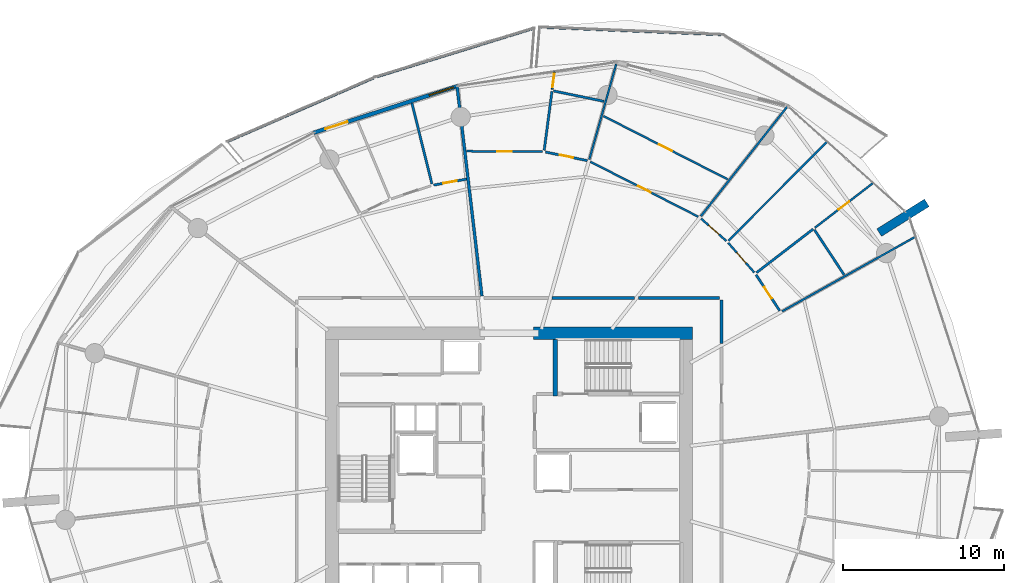
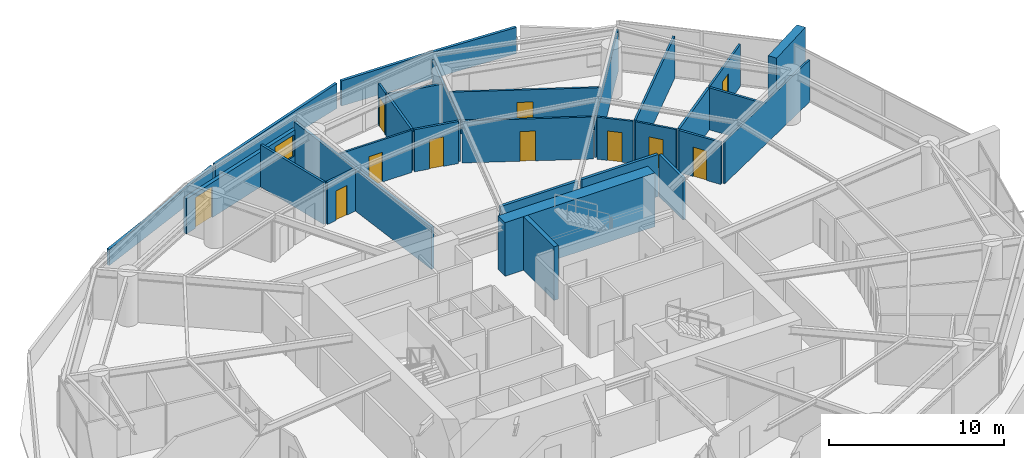
# One storey, part 15 of 23: 30 walls, 11 doors, 1 window, 12 openings.
"""IFC4 building model written with IfcOpenShell, lengths in metres."""

from ifc_helpers import new_model, si_unit, direction, frame, frame_2d, origin, place, context, subcontext, project, spatial, polyline, rectangle, outline, extrude, material, layer, layer_set, type_object, element, fill, save


model = new_model("IFC4")

# Units and contexts
model_context = context("Model", 3, precision=1e-05, world=origin(), true_north=direction((0.0, 1.0)))
body_context = subcontext(model_context, "Body", "Model", "MODEL_VIEW")
ifc_project = project(units=[si_unit("LENGTHUNIT", "METRE"), si_unit("AREAUNIT", "SQUARE_METRE"), si_unit("VOLUMEUNIT", "CUBIC_METRE"), si_unit("PLANEANGLEUNIT", "RADIAN"), si_unit("MASSUNIT", "GRAM", prefix="KILO")], contexts=[model_context])

# Site, building, storey
site_placement = place(None, origin())
site = spatial("IfcSite", under=ifc_project, at=site_placement, CompositionType="ELEMENT")
building_placement = place(site_placement, origin())
building = spatial("IfcBuilding", under=site, at=building_placement, Name="Kazma Halo Residences", CompositionType="ELEMENT")
storey_placement = place(building_placement, frame((0.0, 0.0, 97.64990234375)))
storey = spatial("IfcBuildingStorey", under=building, at=storey_placement, Name="L24", CompositionType="ELEMENT", Elevation=97.64990234375)

# Walls
ifc_material_1 = material(Name="White Concrete C50/60 Balustrade", Category="concrete")
ifc_layer_1 = layer(ifc_material_1, 0.179931640625)
ifc_layer_set_1 = layer_set([ifc_layer_1], Name="White Concrete C50/60 Balustrade")
wall_type_1 = type_object("IfcWallType", Name="WL-BAL-WAVE-180", PredefinedType="PARAPET", material=ifc_layer_set_1)
wall_1_placement = place(storey_placement, frame((61.637451171875, 69.005126953125, 0.0), z_axis=(0.0, 0.0, 1.0), x_axis=(-0.999163903461, 0.040883909074, 0.0)))
element("IfcWall", 1, at=wall_1_placement, inside=storey, type_object=wall_type_1, Name="L24 white wave balustrade wall NE.2", PredefinedType="PARAPET", context=body_context, shape_type="SweptSolid", body=[
    extrude(outline(polyline([(0.0, 0.0), (11.316162109375, 0.0), (11.31640625, 1.756103515625), (5.658203125, 1.85302734375), (0.0, 1.83203125), (0.0, 0.0)])), frame((0.0, 0.08984375, 0.0), z_axis=(0.0, -1.0, 0.0), x_axis=(1.0, 0.0, 0.0)), (0.0, 0.0, 1.0), 0.179931640625),
])
wall_2_placement = place(storey_placement, frame((49.988525390625, 69.405517578125, 0.0), z_axis=(0.0, 0.0, 1.0), x_axis=(-0.955530222606, -0.294893190301, 0.0)))
element("IfcWall", 2, at=wall_2_placement, inside=storey, type_object=wall_type_1, Name="L24 white wave balustrade wall NNW.1", PredefinedType="PARAPET", context=body_context, shape_type="SweptSolid", body=[
    extrude(outline(polyline([(0.0, 0.0), (10.240966796875, 0.0), (10.240966796875, 1.34814453125), (5.12060546875, 1.56201171875), (0.0, 1.7470703125), (0.0, 0.0)])), frame((0.0, 0.08984375, 0.0), z_axis=(0.0, -1.0, 0.0), x_axis=(1.0, 0.0, 0.0)), (0.0, 0.0, 1.0), 0.179931640625),
])
wall_3_placement = place(storey_placement, frame((39.978271484375, 66.30224609375, 0.0), z_axis=(0.0, 0.0, 1.0), x_axis=(-0.916910512906, -0.399092860527, 0.0)))
element("IfcWall", 3, at=wall_3_placement, inside=storey, type_object=wall_type_1, Name="L24 white wave balustrade wall NNW.2", PredefinedType="PARAPET", context=body_context, shape_type="SweptSolid", body=[
    extrude(outline(polyline([(0.0, 0.0), (9.954833984375, 0.0), (9.95458984375, 1.1201171875), (4.977294921875, 1.18212890625), (0.0, 1.34814453125), (0.0, 0.0)])), frame((0.0, 0.08984375, 0.0), z_axis=(0.0, -1.0, 0.0), x_axis=(1.0, 0.0, 0.0)), (0.0, 0.0, 1.0), 0.179931640625),
])
ifc_material_2 = material(Name="Pale Concrete C60/75", Category="concrete")
ifc_layer_2 = layer(ifc_material_2, 0.550048828125)
ifc_layer_set_2 = layer_set([ifc_layer_2], Name="Pale Concrete C60/75")
wall_type_2 = type_object("IfcWallType", Name="WL-BLADE-550", PredefinedType="SOLIDWALL", material=ifc_layer_set_2)
wall_4_placement = place(storey_placement, frame((71.468505859375, 56.664794921875, 0.0), z_axis=(0.0, 0.0, 1.0), x_axis=(0.848053161125, 0.529911158502, 0.0)))
element("IfcWall", 4, at=wall_4_placement, inside=storey, type_object=wall_type_2, Name="L24 pale concrete structural blade fin wall BW-01", PredefinedType="SOLIDWALL", context=body_context, shape_type="SweptSolid", body=[
    extrude(rectangle(XDim=3.5, YDim=0.550048828125, at=frame_2d((1.75, 0.0))), origin(), (0.0, 0.0, 1.0), 3.75),
])
ifc_material_3 = material(Name="Concrete C80/95", Category="concrete")
ifc_layer_3 = layer(ifc_material_3, 0.800048828125)
ifc_layer_set_3 = layer_set([ifc_layer_3], Name="Concrete C80/95")
wall_type_3 = type_object("IfcWallType", Name="WL-CORE-800", PredefinedType="SHEAR", material=ifc_layer_set_3)
wall_5_placement = place(storey_placement, frame((49.949951171875, 50.39990234375, 0.0), z_axis=(0.0, 0.0, 1.0), x_axis=(1.0, 0.0, 0.0)))
element("IfcWall", 5, at=wall_5_placement, inside=storey, type_object=wall_type_3, Name="L24 central core shear wall NE", PredefinedType="SHEAR", context=body_context, shape_type="SweptSolid", body=[
    extrude(rectangle(XDim=9.900146484375, YDim=0.800048828125, at=frame_2d((4.9501953125, 0.0))), origin(), (0.0, 0.0, 1.0), 3.75),
])
ifc_material_4 = material(Name="Concrete C60/75", Category="concrete")
ifc_layer_4 = layer(ifc_material_4, 0.280029296875)
ifc_layer_set_4 = layer_set([ifc_layer_4], Name="Concrete C60/75")
wall_type_4 = type_object("IfcWallType", Name="WL-CORE-ST-280", PredefinedType="SHEAR", material=ifc_layer_set_4)
wall_6_placement = place(storey_placement, frame((51.31005859375, 46.5, 0.0), z_axis=(0.0, 0.0, 1.0), x_axis=(0.0, 1.0, 0.0)))
element("IfcWall", 6, at=wall_6_placement, inside=storey, type_object=wall_type_4, Name="L24 stairwell bearing wall ST02-W", PredefinedType="SHEAR", context=body_context, shape_type="SweptSolid", body=[
    extrude(rectangle(XDim=3.5, YDim=0.280029296875, at=frame_2d((1.75, 0.0))), origin(), (0.0, 0.0, 1.0), 3.75),
])
ifc_material_5 = material(Name="Acoustic Twin-Stud Gypsum")
ifc_layer_5 = layer(ifc_material_5, 0.179931640625)
ifc_layer_set_5 = layer_set([ifc_layer_5], Name="Acoustic Twin-Stud Gypsum")
wall_type_5 = type_object("IfcWallType", Name="WL-DEM-180", PredefinedType="PARTITIONING", material=ifc_layer_set_5)
wall_7_placement = place(storey_placement, frame((46.732421875, 52.709228515625, 0.0), z_axis=(0.0, 0.0, 1.0), x_axis=(-0.117532311618, 0.993069058891, 0.0)))
element("IfcWall", 7, at=wall_7_placement, inside=storey, type_object=wall_type_5, Name="L24 apartment demising radial wall 03", PredefinedType="PARTITIONING", context=body_context, shape_type="SweptSolid", body=[
    extrude(rectangle(XDim=13.138427734375, YDim=0.179931640625, at=frame_2d((6.5693359375, 0.0))), origin(), (0.0, 0.0, 1.0), 2.940185546875),
])
wall_8_placement = place(storey_placement, frame((61.64990234375, 49.764404296875, 0.0), z_axis=(0.0, 0.0, 1.0), x_axis=(0.0, 1.0, 0.0)))
element("IfcWall", 8, at=wall_8_placement, inside=storey, type_object=wall_type_5, Name="L24 Apartment 4 inner wall 0", PredefinedType="PARTITIONING", context=body_context, shape_type="SweptSolid", body=[
    extrude(rectangle(XDim=2.715576171875, YDim=0.179931640625, at=frame_2d((1.35791015625, 0.0))), origin(), (0.0, 0.0, 1.0), 2.940185546875),
])
wall_9_placement = place(storey_placement, frame((61.530029296875, 52.60009765625, 0.0), z_axis=(0.0, 0.0, 1.0), x_axis=(-1.0, 0.0, 0.0)))
element("IfcWall", 9, at=wall_9_placement, inside=storey, type_object=wall_type_5, Name="L24 Apartment 4 inner wall 0", PredefinedType="PARTITIONING", context=body_context, shape_type="SweptSolid", body=[
    extrude(rectangle(XDim=5.0537109375, YDim=0.179931640625, at=frame_2d((2.52685546875, 0.0))), origin(), (0.0, 0.0, 1.0), 2.940185546875),
])
wall_10_placement = place(storey_placement, frame((56.236328125, 52.60009765625, 0.0), z_axis=(0.0, 0.0, 1.0), x_axis=(-1.0, 0.0, 0.0)))
element("IfcWall", 10, at=wall_10_placement, inside=storey, type_object=wall_type_5, Name="L24 Apartment 4 inner wall 1", PredefinedType="PARTITIONING", context=body_context, shape_type="SweptSolid", body=[
    extrude(rectangle(XDim=5.126708984375, YDim=0.179931640625, at=frame_2d((2.5634765625, 0.0))), origin(), (0.0, 0.0, 1.0), 2.940185546875),
])

# Wall, openings, door, window
ifc_material_6 = material(Name="Insulated Pale-Metal Composite Wall")
ifc_layer_6 = layer(ifc_material_6, 0.239990234375)
ifc_layer_set_6 = layer_set([ifc_layer_6], Name="Insulated Pale-Metal Composite Wall")
wall_type_6 = type_object("IfcWallType", Name="WL-EXT-HOST-240", PredefinedType="SOLIDWALL", material=ifc_layer_set_6)
wall_11_placement = place(storey_placement, frame((45.23291015625, 65.797119140625, 0.0), z_axis=(0.0, 0.0, 1.0), x_axis=(-0.951052494852, -0.30902937083, 0.0)))
wall_11 = element("IfcWall", 11, at=wall_11_placement, inside=storey, type_object=wall_type_6, Name="L24 exterior terrace-access wall B04", PredefinedType="SOLIDWALL", context=body_context, shape_type="SweptSolid", body=[
    extrude(rectangle(XDim=9.44384765625, YDim=0.239990234375, at=frame_2d((4.721923828125, 0.0))), origin(), (0.0, 0.0, 1.0), 2.4501953125),
])
opening_1_placement = place(wall_11_placement, frame((7.223876953125, 0.0, 0.0)))
opening_1 = element("IfcOpeningElement", 12, at=opening_1_placement, cuts=wall_11, Name="Opening DTR-1600", PredefinedType="OPENING", context=body_context, shape_type="SweptSolid", body=[
    extrude(rectangle(XDim=1.449951171875, YDim=2.14990234375, at=frame_2d((0.72509765625, 1.074951171875))), frame((0.0, 0.1298828125, 0.0), z_axis=(0.0, -1.0, 0.0), x_axis=(1.0, 0.0, 0.0)), (0.0, 0.0, 1.0), 0.260009765625),
])
opening_2_placement = place(wall_11_placement, frame((0.280029296875, 0.0, 0.64990234375)))
opening_2 = element("IfcOpeningElement", 13, at=opening_2_placement, cuts=wall_11, Name="Opening W-1800", PredefinedType="OPENING", context=body_context, shape_type="SweptSolid", body=[
    extrude(rectangle(XDim=1.60009765625, YDim=1.5, at=frame_2d((0.800048828125, 0.75))), frame((0.0, 0.1298828125, 0.0), z_axis=(0.0, -1.0, 0.0), x_axis=(1.0, 0.0, 0.0)), (0.0, 0.0, 1.0), 0.260009765625),
])
ifc_material_7 = material(Name="Aluminium AW-6063 T6 Double-Glazed Terrace Door", Category="aluminium")
door_type_1 = type_object("IfcDoorType", Name="DR-EXT-TERR-1600", OperationType="NOTDEFINED", PredefinedType="DOOR", material=ifc_material_7)
door_1_placement = place(opening_1_placement, origin())
door_1 = element("IfcDoor", 14, at=door_1_placement, inside=storey, type_object=door_type_1, Name="L24 B04 balcony terrace door", OperationType="DOUBLE_DOOR_SLIDING", OverallHeight=2.14990234375, OverallWidth=1.449951171875, PredefinedType="DOOR", context=body_context, shape_type="SweptSolid", body=[
    extrude(rectangle(XDim=1.449951171875, YDim=2.14990234375, at=frame_2d((0.72509765625, 1.074951171875))), frame((0.0, 0.02490234375, 0.0), z_axis=(0.0, -1.0, 0.0), x_axis=(1.0, 0.0, 0.0)), (0.0, 0.0, 1.0), 0.050048828125),
])
fill(opening_1, door_1)
ifc_material_8 = material(Name="Clear Triple-Silver Low-E Glass in Aluminium AW-6063 T6 Frame", Category="aluminium")
window_type = type_object("IfcWindowType", Name="WIN-RES-1800", PartitioningType="DOUBLE_PANEL_VERTICAL", PredefinedType="WINDOW", material=ifc_material_8)
window_placement = place(opening_2_placement, origin())
window = element("IfcWindow", 15, at=window_placement, inside=storey, type_object=window_type, Name="L24 B04 apartment window", OverallHeight=1.5, OverallWidth=1.60009765625, PartitioningType="SINGLE_PANEL", PredefinedType="WINDOW", context=body_context, shape_type="SweptSolid", body=[
    extrude(rectangle(XDim=1.60009765625, YDim=1.5, at=frame_2d((0.800048828125, 0.75))), frame((0.0, 0.030029296875, 0.0), z_axis=(0.0, -1.0, 0.0), x_axis=(1.0, 0.0, 0.0)), (0.0, 0.0, 1.0), 0.06005859375),
])
fill(opening_2, window)

# Wall
ifc_material_9 = material(Name="Gypsum Plasterboard Partition")
ifc_layer_7 = layer(ifc_material_9, 0.125)
ifc_layer_set_7 = layer_set([ifc_layer_7], Name="Gypsum Plasterboard Partition")
wall_type_7 = type_object("IfcWallType", Name="WL-PART-125", PredefinedType="PARTITIONING", material=ifc_layer_set_7)
wall_12_placement = place(storey_placement, frame((65.42529296875, 51.7587890625, 0.0), z_axis=(0.0, 0.0, 1.0), x_axis=(0.872502512898, 0.488609624328, 0.0)))
element("IfcWall", 16, at=wall_12_placement, inside=storey, type_object=wall_type_7, Name="L24 Apartment 4 radial partition 0", PredefinedType="PARTITIONING", context=body_context, shape_type="SweptSolid", body=[
    extrude(rectangle(XDim=9.507568359375, YDim=0.125, at=frame_2d((4.75390625, 0.0))), origin(), (0.0, 0.0, 1.0), 2.940185546875),
])

# Wall, opening, door
wall_13_placement = place(storey_placement, frame((67.46484375, 56.964111328125, 0.0), z_axis=(0.0, 0.0, 1.0), x_axis=(0.792775446562, 0.609513815536, 0.0)))
wall_13 = element("IfcWall", 17, at=wall_13_placement, inside=storey, type_object=wall_type_7, Name="L24 Apartment 4 Utility Laundry Room partition wall", PredefinedType="PARTITIONING", context=body_context, shape_type="SweptSolid", body=[
    extrude(rectangle(XDim=4.553466796875, YDim=0.125, at=frame_2d((2.27685546875, 0.0))), origin(), (0.0, 0.0, 1.0), 2.940185546875),
])
opening_3_placement = place(wall_13_placement, frame((1.851806640625, 0.0, 0.0)))
opening_3 = element("IfcOpeningElement", 18, at=opening_3_placement, cuts=wall_13, Name="Opening DB-900", PredefinedType="OPENING", context=body_context, shape_type="SweptSolid", body=[
    extrude(rectangle(XDim=0.85009765625, YDim=2.06005859375, at=frame_2d((0.425048828125, 1.030029296875))), frame((0.0, 0.072509765625, 0.0), z_axis=(0.0, -1.0, 0.0), x_axis=(1.0, 0.0, 0.0)), (0.0, 0.0, 1.0), 0.14501953125),
])
ifc_material_10 = material(Name="Moisture-Sealed Timber Leaf", Category="wood")
door_type_2 = type_object("IfcDoorType", Name="DR-BTH-900", OperationType="NOTDEFINED", PredefinedType="DOOR", material=ifc_material_10)
door_2_placement = place(opening_3_placement, origin())
door_2 = element("IfcDoor", 19, at=door_2_placement, inside=storey, type_object=door_type_2, Name="L24 Apartment 4 Utility Laundry Room door", OperationType="SINGLE_SWING_RIGHT", OverallHeight=2.06005859375, OverallWidth=0.85009765625, PredefinedType="DOOR", context=body_context, shape_type="SweptSolid", body=[
    extrude(rectangle(XDim=0.85009765625, YDim=2.06005859375, at=frame_2d((0.425048828125, 1.030029296875))), frame((0.0, 0.02490234375, 0.0), z_axis=(0.0, -1.0, 0.0), x_axis=(1.0, 0.0, 0.0)), (0.0, 0.0, 1.0), 0.050048828125),
])
fill(opening_3, door_2)

# Wall
wall_14_placement = place(storey_placement, frame((62.07861328125, 56.151611328125, 0.0), z_axis=(0.0, 0.0, 1.0), x_axis=(0.705264029557, 0.70894474299, 0.0)))
element("IfcWall", 20, at=wall_14_placement, inside=storey, type_object=wall_type_7, Name="L24 Apartment 4 suite divider 0", PredefinedType="PARTITIONING", context=body_context, shape_type="SweptSolid", body=[
    extrude(rectangle(XDim=8.689208984375, YDim=0.125, at=frame_2d((4.3447265625, 0.0))), origin(), (0.0, 0.0, 1.0), 2.940185546875),
])

# Wall, opening, door
wall_15_placement = place(storey_placement, frame((63.69482421875, 54.17919921875, 0.0), z_axis=(0.0, 0.0, 1.0), x_axis=(-0.660607779432, 0.750731218049, 0.0)))
wall_15 = element("IfcWall", 21, at=wall_15_placement, inside=storey, type_object=wall_type_7, Name="L24 Apartment 4 Gourmet Kitchen hall wall", PredefinedType="PARTITIONING", context=body_context, shape_type="SweptSolid", body=[
    extrude(rectangle(XDim=2.46240234375, YDim=0.125, at=frame_2d((1.231201171875, 0.0))), origin(), (0.0, 0.0, 1.0), 2.940185546875),
])
opening_4_placement = place(wall_15_placement, frame((0.80615234375, 0.0, 0.0)))
opening_4 = element("IfcOpeningElement", 22, at=opening_4_placement, cuts=wall_15, Name="Opening DB-900", PredefinedType="OPENING", context=body_context, shape_type="SweptSolid", body=[
    extrude(rectangle(XDim=0.85009765625, YDim=2.06005859375, at=frame_2d((0.425048828125, 1.030029296875))), frame((0.0, 0.072509765625, 0.0), z_axis=(0.0, -1.0, 0.0), x_axis=(1.0, 0.0, 0.0)), (0.0, 0.0, 1.0), 0.14501953125),
])
door_3_placement = place(opening_4_placement, origin())
door_3 = element("IfcDoor", 23, at=door_3_placement, inside=storey, type_object=door_type_2, Name="L24 Apartment 4 Gourmet Kitchen door", OperationType="SINGLE_SWING_LEFT", OverallHeight=2.06005859375, OverallWidth=0.85009765625, PredefinedType="DOOR", context=body_context, shape_type="SweptSolid", body=[
    extrude(rectangle(XDim=0.85009765625, YDim=2.06005859375, at=frame_2d((0.425048828125, 1.030029296875))), frame((0.0, 0.02490234375, 0.0), z_axis=(0.0, -1.0, 0.0), x_axis=(1.0, 0.0, 0.0)), (0.0, 0.0, 1.0), 0.050048828125),
])
fill(opening_4, door_3)

wall_16_placement = place(storey_placement, frame((61.955322265625, 56.14111328125, 0.0), z_axis=(0.0, 0.0, 1.0), x_axis=(-0.748379596579, 0.663270668297, 0.0)))
wall_16 = element("IfcWall", 24, at=wall_16_placement, inside=storey, type_object=wall_type_7, Name="L24 Apartment 4 Primary Bedroom hall wall", PredefinedType="PARTITIONING", context=body_context, shape_type="SweptSolid", body=[
    extrude(rectangle(XDim=2.1083984375, YDim=0.125, at=frame_2d((1.05419921875, 0.0))), origin(), (0.0, 0.0, 1.0), 2.940185546875),
])
opening_5_placement = place(wall_16_placement, frame((0.629150390625, 0.0, 0.0)))
opening_5 = element("IfcOpeningElement", 25, at=opening_5_placement, cuts=wall_16, Name="Opening DB-900", PredefinedType="OPENING", context=body_context, shape_type="SweptSolid", body=[
    extrude(rectangle(XDim=0.85009765625, YDim=2.06005859375, at=frame_2d((0.425048828125, 1.030029296875))), frame((0.0, 0.072509765625, 0.0), z_axis=(0.0, -1.0, 0.0), x_axis=(1.0, 0.0, 0.0)), (0.0, 0.0, 1.0), 0.14501953125),
])
door_4_placement = place(opening_5_placement, origin())
door_4 = element("IfcDoor", 26, at=door_4_placement, inside=storey, type_object=door_type_2, Name="L24 Apartment 4 Primary Bedroom door", OperationType="SINGLE_SWING_RIGHT", OverallHeight=2.06005859375, OverallWidth=0.85009765625, PredefinedType="DOOR", context=body_context, shape_type="SweptSolid", body=[
    extrude(rectangle(XDim=0.85009765625, YDim=2.06005859375, at=frame_2d((0.425048828125, 1.030029296875))), frame((0.0, 0.02490234375, 0.0), z_axis=(0.0, -1.0, 0.0), x_axis=(1.0, 0.0, 0.0)), (0.0, 0.0, 1.0), 0.050048828125),
])
fill(opening_5, door_4)

# Wall
wall_17_placement = place(storey_placement, frame((60.364501953125, 57.684326171875, 0.0), z_axis=(0.0, 0.0, 1.0), x_axis=(0.619089966413, 0.785320070727, 0.0)))
element("IfcWall", 27, at=wall_17_placement, inside=storey, type_object=wall_type_7, Name="L24 Apartment 4 radial partition 1", PredefinedType="PARTITIONING", context=body_context, shape_type="SweptSolid", body=[
    extrude(rectangle(XDim=8.698974609375, YDim=0.125, at=frame_2d((4.349609375, 0.0))), origin(), (0.0, 0.0, 1.0), 2.940185546875),
])

# Wall, opening, door
wall_18_placement = place(storey_placement, frame((60.20458984375, 57.65576171875, 0.0), z_axis=(0.0, 0.0, 1.0), x_axis=(-0.891005117697, 0.453993260123, 0.0)))
wall_18 = element("IfcWall", 28, at=wall_18_placement, inside=storey, type_object=wall_type_7, Name="L24 Apartment 4 Primary Study hall wall", PredefinedType="PARTITIONING", context=body_context, shape_type="SweptSolid", body=[
    extrude(rectangle(XDim=7.533447265625, YDim=0.125, at=frame_2d((3.7666015625, 0.0))), origin(), (0.0, 0.0, 1.0), 2.940185546875),
])
opening_6_placement = place(wall_18_placement, frame((3.31689453125, 0.0, 0.0)))
opening_6 = element("IfcOpeningElement", 29, at=opening_6_placement, cuts=wall_18, Name="Opening DI-950", PredefinedType="OPENING", context=body_context, shape_type="SweptSolid", body=[
    extrude(rectangle(XDim=0.89990234375, YDim=2.080078125, at=frame_2d((0.449951171875, 1.0400390625))), frame((0.0, 0.072509765625, 0.0), z_axis=(0.0, -1.0, 0.0), x_axis=(1.0, 0.0, 0.0)), (0.0, 0.0, 1.0), 0.14501953125),
])
ifc_material_11 = material(Name="Timber Veneer Flush Leaf", Category="wood")
door_type_3 = type_object("IfcDoorType", Name="DR-INT-950", OperationType="NOTDEFINED", PredefinedType="DOOR", material=ifc_material_11)
door_5_placement = place(opening_6_placement, origin())
door_5 = element("IfcDoor", 30, at=door_5_placement, inside=storey, type_object=door_type_3, Name="L24 Apartment 4 Primary Study door", OperationType="SINGLE_SWING_RIGHT", OverallHeight=2.080078125, OverallWidth=0.89990234375, PredefinedType="DOOR", context=body_context, shape_type="SweptSolid", body=[
    extrude(rectangle(XDim=0.89990234375, YDim=2.080078125, at=frame_2d((0.449951171875, 1.0400390625))), frame((0.0, 0.02490234375, 0.0), z_axis=(0.0, -1.0, 0.0), x_axis=(1.0, 0.0, 0.0)), (0.0, 0.0, 1.0), 0.050048828125),
])
fill(opening_6, door_5)

wall_19_placement = place(storey_placement, frame((62.037841796875, 59.98095703125, 0.0), z_axis=(0.0, 0.0, 1.0), x_axis=(-0.891001540604, 0.454000280442, 0.0)))
wall_19 = element("IfcWall", 31, at=wall_19_placement, inside=storey, type_object=wall_type_7, Name="L24 Apartment 4 Secondary Master Bedroom divider wall", PredefinedType="PARTITIONING", context=body_context, shape_type="SweptSolid", body=[
    extrude(rectangle(XDim=8.68896484375, YDim=0.125, at=frame_2d((4.344482421875, 0.0))), origin(), (0.0, 0.0, 1.0), 2.940185546875),
])
opening_7_placement = place(wall_19_placement, frame((3.89453125, 0.0, 0.0)))
opening_7 = element("IfcOpeningElement", 32, at=opening_7_placement, cuts=wall_19, Name="Opening DI-950", PredefinedType="OPENING", context=body_context, shape_type="SweptSolid", body=[
    extrude(rectangle(XDim=0.89990234375, YDim=2.080078125, at=frame_2d((0.449951171875, 1.0400390625))), frame((0.0, 0.072509765625, 0.0), z_axis=(0.0, -1.0, 0.0), x_axis=(1.0, 0.0, 0.0)), (0.0, 0.0, 1.0), 0.14501953125),
])
door_6_placement = place(opening_7_placement, origin())
door_6 = element("IfcDoor", 33, at=door_6_placement, inside=storey, type_object=door_type_3, Name="L24 Apartment 4 Secondary Master Bedroom door", OperationType="SINGLE_SWING_LEFT", OverallHeight=2.080078125, OverallWidth=0.89990234375, PredefinedType="DOOR", context=body_context, shape_type="SweptSolid", body=[
    extrude(rectangle(XDim=0.89990234375, YDim=2.080078125, at=frame_2d((0.449951171875, 1.0400390625))), frame((0.0, 0.02490234375, 0.0), z_axis=(0.0, -1.0, 0.0), x_axis=(1.0, 0.0, 0.0)), (0.0, 0.0, 1.0), 0.050048828125),
])
fill(opening_7, door_6)

# Wall
wall_20_placement = place(storey_placement, frame((53.421142578125, 61.22216796875, 0.0), z_axis=(0.0, 0.0, 1.0), x_axis=(0.271466748189, 0.962447819171, 0.0)))
element("IfcWall", 34, at=wall_20_placement, inside=storey, type_object=wall_type_7, Name="L24 Apartment 4 radial partition 2", PredefinedType="PARTITIONING", context=body_context, shape_type="SweptSolid", body=[
    extrude(rectangle(XDim=6.165771484375, YDim=0.125, at=frame_2d((3.0830078125, 0.0))), origin(), (0.0, 0.0, 1.0), 2.940185546875),
])

# Wall, opening, door
wall_21_placement = place(storey_placement, frame((51.112548828125, 65.593505859375, 0.0), z_axis=(0.0, 0.0, 1.0), x_axis=(0.130646464172, 0.991429019849, 0.0)))
wall_21 = element("IfcWall", 35, at=wall_21_placement, inside=storey, type_object=wall_type_7, Name="L24 Apartment 4 West Walk-In Wardrobe partition wall", PredefinedType="PARTITIONING", context=body_context, shape_type="SweptSolid", body=[
    extrude(rectangle(XDim=1.085693359375, YDim=0.125, at=frame_2d((0.54296875, 0.0))), origin(), (0.0, 0.0, 1.0), 2.940185546875),
])
opening_8_placement = place(wall_21_placement, frame((0.117919921875, 0.0, 0.0)))
opening_8 = element("IfcOpeningElement", 36, at=opening_8_placement, cuts=wall_21, Name="Opening DB-900", PredefinedType="OPENING", context=body_context, shape_type="SweptSolid", body=[
    extrude(rectangle(XDim=0.85009765625, YDim=2.06005859375, at=frame_2d((0.425048828125, 1.030029296875))), frame((0.0, 0.072509765625, 0.0), z_axis=(0.0, -1.0, 0.0), x_axis=(1.0, 0.0, 0.0)), (0.0, 0.0, 1.0), 0.14501953125),
])
door_7_placement = place(opening_8_placement, origin())
door_7 = element("IfcDoor", 37, at=door_7_placement, inside=storey, type_object=door_type_2, Name="L24 Apartment 4 West Walk-In Wardrobe door", OperationType="SINGLE_SWING_RIGHT", OverallHeight=2.06005859375, OverallWidth=0.85009765625, PredefinedType="DOOR", context=body_context, shape_type="SweptSolid", body=[
    extrude(rectangle(XDim=0.85009765625, YDim=2.06005859375, at=frame_2d((0.425048828125, 1.030029296875))), frame((0.0, 0.02490234375, 0.0), z_axis=(0.0, -1.0, 0.0), x_axis=(1.0, 0.0, 0.0)), (0.0, 0.0, 1.0), 0.050048828125),
])
fill(opening_8, door_7)

wall_22_placement = place(storey_placement, frame((50.509033203125, 61.701904296875, 0.0), z_axis=(0.0, 0.0, 1.0), x_axis=(-0.999977627334, 0.006689157742, 0.0)))
wall_22 = element("IfcWall", 38, at=wall_22_placement, inside=storey, type_object=wall_type_7, Name="L24 Apartment 4 North Master Bedroom hall wall", PredefinedType="PARTITIONING", context=body_context, shape_type="SweptSolid", body=[
    extrude(rectangle(XDim=4.74462890625, YDim=0.125, at=frame_2d((2.372314453125, 0.0))), origin(), (0.0, 0.0, 1.0), 2.940185546875),
])
opening_9_placement = place(wall_22_placement, frame((1.92236328125, 0.0, 0.0)))
opening_9 = element("IfcOpeningElement", 39, at=opening_9_placement, cuts=wall_22, Name="Opening DI-950", PredefinedType="OPENING", context=body_context, shape_type="SweptSolid", body=[
    extrude(rectangle(XDim=0.89990234375, YDim=2.080078125, at=frame_2d((0.449951171875, 1.0400390625))), frame((0.0, 0.072509765625, 0.0), z_axis=(0.0, -1.0, 0.0), x_axis=(1.0, 0.0, 0.0)), (0.0, 0.0, 1.0), 0.14501953125),
])
door_8_placement = place(opening_9_placement, origin())
door_8 = element("IfcDoor", 40, at=door_8_placement, inside=storey, type_object=door_type_3, Name="L24 Apartment 4 North Master Bedroom door", OperationType="SINGLE_SWING_LEFT", OverallHeight=2.080078125, OverallWidth=0.89990234375, PredefinedType="DOOR", context=body_context, shape_type="SweptSolid", body=[
    extrude(rectangle(XDim=0.89990234375, YDim=2.080078125, at=frame_2d((0.449951171875, 1.0400390625))), frame((0.0, 0.02490234375, 0.0), z_axis=(0.0, -1.0, 0.0), x_axis=(1.0, 0.0, 0.0)), (0.0, 0.0, 1.0), 0.050048828125),
])
fill(opening_9, door_8)

ifc_material_12 = material(Name="Moisture-Resistant Gypsum")
ifc_layer_8 = layer(ifc_material_12, 0.14990234375)
ifc_layer_set_8 = layer_set([ifc_layer_8], Name="Moisture-Resistant Gypsum")
wall_type_8 = type_object("IfcWallType", Name="WL-WET-150", PredefinedType="PARTITIONING", material=ifc_layer_set_8)
wall_23_placement = place(storey_placement, frame((65.283203125, 51.79345703125, 0.0), z_axis=(0.0, 0.0, 1.0), x_axis=(-0.55052065121, 0.834821545357, 0.0)))
wall_23 = element("IfcWall", 41, at=wall_23_placement, inside=storey, type_object=wall_type_8, Name="L24 Apartment 4 Guest Bathroom hall wall", PredefinedType="PARTITIONING", context=body_context, shape_type="SweptSolid", body=[
    extrude(rectangle(XDim=2.68701171875, YDim=0.14990234375, at=frame_2d((1.343505859375, 0.0))), origin(), (0.0, 0.0, 1.0), 2.940185546875),
])
opening_10_placement = place(wall_23_placement, frame((0.91845703125, 0.0, 0.0)))
opening_10 = element("IfcOpeningElement", 42, at=opening_10_placement, cuts=wall_23, Name="Opening DB-900", PredefinedType="OPENING", context=body_context, shape_type="SweptSolid", body=[
    extrude(rectangle(XDim=0.85009765625, YDim=2.06005859375, at=frame_2d((0.425048828125, 1.030029296875))), frame((0.0, 0.0849609375, 0.0), z_axis=(0.0, -1.0, 0.0), x_axis=(1.0, 0.0, 0.0)), (0.0, 0.0, 1.0), 0.169921875),
])
door_9_placement = place(opening_10_placement, origin())
door_9 = element("IfcDoor", 43, at=door_9_placement, inside=storey, type_object=door_type_2, Name="L24 Apartment 4 Guest Bathroom door", OperationType="SINGLE_SWING_LEFT", OverallHeight=2.06005859375, OverallWidth=0.85009765625, PredefinedType="DOOR", context=body_context, shape_type="SweptSolid", body=[
    extrude(rectangle(XDim=0.85009765625, YDim=2.06005859375, at=frame_2d((0.425048828125, 1.030029296875))), frame((0.0, 0.02490234375, 0.0), z_axis=(0.0, -1.0, 0.0), x_axis=(1.0, 0.0, 0.0)), (0.0, 0.0, 1.0), 0.050048828125),
])
fill(opening_10, door_9)

# Walls
wall_24_placement = place(storey_placement, frame((69.2880859375, 54.0361328125, 0.0), z_axis=(0.0, 0.0, 1.0), x_axis=(-0.550524546363, 0.834818976696, 0.0)))
element("IfcWall", 44, at=wall_24_placement, inside=storey, type_object=wall_type_8, Name="L24 Apartment 4 Guest Bathroom back wall", PredefinedType="PARTITIONING", context=body_context, shape_type="SweptSolid", body=[
    extrude(rectangle(XDim=3.351806640625, YDim=0.14990234375, at=frame_2d((1.67578125, 0.0))), origin(), (0.0, 0.0, 1.0), 2.940185546875),
])
wall_25_placement = place(storey_placement, frame((63.82568359375, 54.16650390625, 0.0), z_axis=(0.0, 0.0, 1.0), x_axis=(0.792796914985, 0.609485891215, 0.0)))
element("IfcWall", 45, at=wall_25_placement, inside=storey, type_object=wall_type_8, Name="L24 Apartment 4 Guest Bathroom side wall", PredefinedType="PARTITIONING", context=body_context, shape_type="SweptSolid", body=[
    extrude(rectangle(XDim=4.460205078125, YDim=0.14990234375, at=frame_2d((2.22998046875, 0.0))), origin(), (0.0, 0.0, 1.0), 2.940185546875),
])

# Wall, opening, door
wall_26_placement = place(storey_placement, frame((53.296142578125, 61.14599609375, 0.0), z_axis=(0.0, 0.0, 1.0), x_axis=(-0.97945810815, 0.201647748262, 0.0)))
wall_26 = element("IfcWall", 46, at=wall_26_placement, inside=storey, type_object=wall_type_8, Name="L24 Apartment 4 East En-Suite Bathroom hall wall", PredefinedType="PARTITIONING", context=body_context, shape_type="SweptSolid", body=[
    extrude(rectangle(XDim=2.66357421875, YDim=0.14990234375, at=frame_2d((1.331787109375, 0.0))), origin(), (0.0, 0.0, 1.0), 2.940185546875),
])
opening_11_placement = place(wall_26_placement, frame((0.906982421875, 0.0, 0.0)))
opening_11 = element("IfcOpeningElement", 47, at=opening_11_placement, cuts=wall_26, Name="Opening DB-900", PredefinedType="OPENING", context=body_context, shape_type="SweptSolid", body=[
    extrude(rectangle(XDim=0.85009765625, YDim=2.06005859375, at=frame_2d((0.425048828125, 1.030029296875))), frame((0.0, 0.0849609375, 0.0), z_axis=(0.0, -1.0, 0.0), x_axis=(1.0, 0.0, 0.0)), (0.0, 0.0, 1.0), 0.169921875),
])
door_10_placement = place(opening_11_placement, origin())
door_10 = element("IfcDoor", 48, at=door_10_placement, inside=storey, type_object=door_type_2, Name="L24 Apartment 4 East En-Suite Bathroom door", OperationType="SINGLE_SWING_LEFT", OverallHeight=2.06005859375, OverallWidth=0.85009765625, PredefinedType="DOOR", context=body_context, shape_type="SweptSolid", body=[
    extrude(rectangle(XDim=0.85009765625, YDim=2.06005859375, at=frame_2d((0.425048828125, 1.030029296875))), frame((0.0, 0.02490234375, 0.0), z_axis=(0.0, -1.0, 0.0), x_axis=(1.0, 0.0, 0.0)), (0.0, 0.0, 1.0), 0.050048828125),
])
fill(opening_11, door_10)

# Walls
wall_27_placement = place(storey_placement, frame((54.33740234375, 64.838134765625, 0.0), z_axis=(0.0, 0.0, 1.0), x_axis=(-0.97945792566, 0.201648634664, 0.0)))
element("IfcWall", 49, at=wall_27_placement, inside=storey, type_object=wall_type_8, Name="L24 Apartment 4 East En-Suite Bathroom back wall", PredefinedType="PARTITIONING", context=body_context, shape_type="SweptSolid", body=[
    extrude(rectangle(XDim=3.21435546875, YDim=0.14990234375, at=frame_2d((1.607177734375, 0.0))), origin(), (0.0, 0.0, 1.0), 2.940185546875),
])
wall_28_placement = place(storey_placement, frame((50.61083984375, 61.79052734375, 0.0), z_axis=(0.0, 0.0, 1.0), x_axis=(0.130769774339, 0.991412762738, 0.0)))
element("IfcWall", 50, at=wall_28_placement, inside=storey, type_object=wall_type_8, Name="L24 Apartment 4 East En-Suite Bathroom side wall", PredefinedType="PARTITIONING", context=body_context, shape_type="SweptSolid", body=[
    extrude(rectangle(XDim=3.705810546875, YDim=0.14990234375, at=frame_2d((1.85302734375, 0.0))), origin(), (0.0, 0.0, 1.0), 2.940185546875),
])

# Wall, opening, door
wall_29_placement = place(storey_placement, frame((45.76953125, 59.995361328125, 0.0), z_axis=(0.0, 0.0, 1.0), x_axis=(-0.983792584323, -0.179310208943, 0.0)))
wall_29 = element("IfcWall", 51, at=wall_29_placement, inside=storey, type_object=wall_type_8, Name="L24 Apartment 5 Guest Bathroom hall wall", PredefinedType="PARTITIONING", context=body_context, shape_type="SweptSolid", body=[
    extrude(rectangle(XDim=2.07373046875, YDim=0.14990234375, at=frame_2d((1.036865234375, 0.0))), origin(), (0.0, 0.0, 1.0), 2.940185546875),
])
opening_12_placement = place(wall_29_placement, frame((0.61181640625, 0.0, 0.0)))
opening_12 = element("IfcOpeningElement", 52, at=opening_12_placement, cuts=wall_29, Name="Opening DB-900", PredefinedType="OPENING", context=body_context, shape_type="SweptSolid", body=[
    extrude(rectangle(XDim=0.85009765625, YDim=2.06005859375, at=frame_2d((0.425048828125, 1.030029296875))), frame((0.0, 0.0849609375, 0.0), z_axis=(0.0, -1.0, 0.0), x_axis=(1.0, 0.0, 0.0)), (0.0, 0.0, 1.0), 0.169921875),
])
door_11_placement = place(opening_12_placement, origin())
door_11 = element("IfcDoor", 53, at=door_11_placement, inside=storey, type_object=door_type_2, Name="L24 Apartment 5 Guest Bathroom door", OperationType="SINGLE_SWING_RIGHT", OverallHeight=2.06005859375, OverallWidth=0.85009765625, PredefinedType="DOOR", context=body_context, shape_type="SweptSolid", body=[
    extrude(rectangle(XDim=0.85009765625, YDim=2.06005859375, at=frame_2d((0.425048828125, 1.030029296875))), frame((0.0, 0.02490234375, 0.0), z_axis=(0.0, -1.0, 0.0), x_axis=(1.0, 0.0, 0.0)), (0.0, 0.0, 1.0), 0.050048828125),
])
fill(opening_12, door_11)

# Wall
wall_30_placement = place(storey_placement, frame((43.619384765625, 59.69482421875, 0.0), z_axis=(0.0, 0.0, 1.0), x_axis=(-0.240311723112, 0.970695768887, 0.0)))
element("IfcWall", 54, at=wall_30_placement, inside=storey, type_object=wall_type_8, Name="L24 Apartment 5 Guest Bathroom side wall", PredefinedType="PARTITIONING", context=body_context, shape_type="SweptSolid", body=[
    extrude(rectangle(XDim=5.193359375, YDim=0.14990234375, at=frame_2d((2.5966796875, 0.0))), origin(), (0.0, 0.0, 1.0), 2.940185546875),
])

save(model, "model.ifc")
